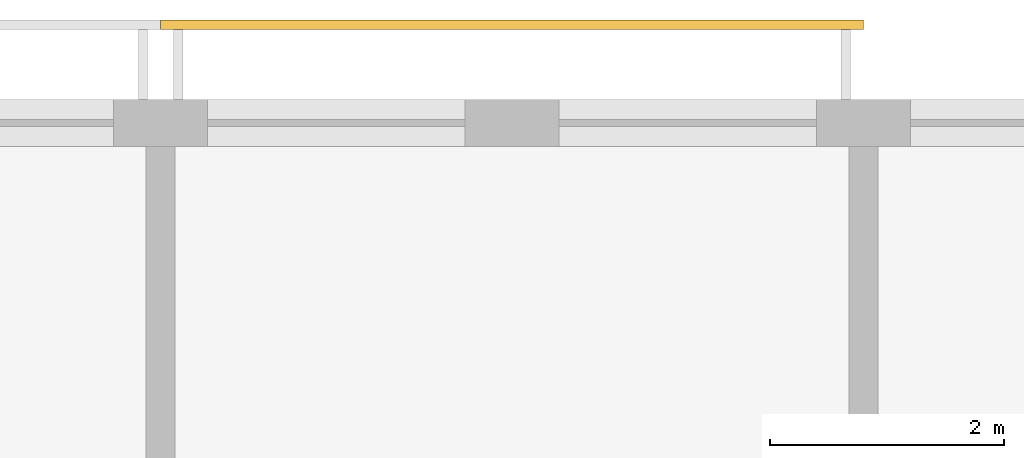
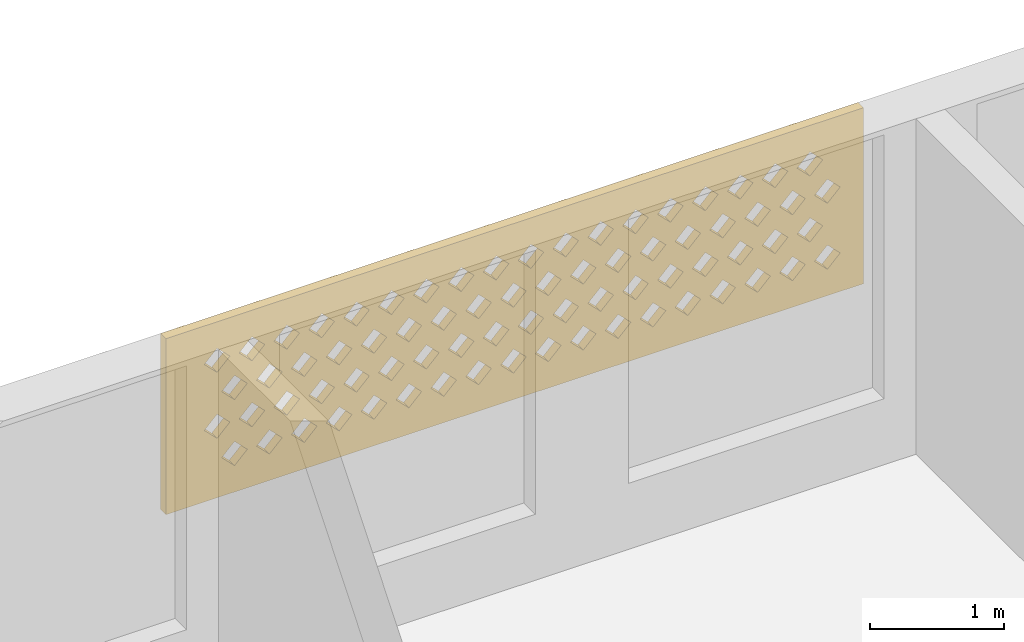
# One storey, part 15 of 18: 1 covering.
"""IFC4 building model written with IfcOpenShell, lengths in metres."""

from ifc_helpers import new_model, si_unit, direction, frame, origin, place, context, subcontext, project, spatial, polyline, outline, extrude, source, transform, mapped, material, material_profile, profile_set, type_object, element, save


model = new_model("IFC4")

# Units and contexts
model_context = context("Model", 3, precision=1e-05, world=origin(), true_north=direction((0.0, 1.0)))
body_context = subcontext(model_context, "Body", "Model", "MODEL_VIEW")
ifc_project = project(units=[si_unit("LENGTHUNIT", "METRE"), si_unit("AREAUNIT", "SQUARE_METRE"), si_unit("VOLUMEUNIT", "CUBIC_METRE"), si_unit("PLANEANGLEUNIT", "RADIAN"), si_unit("MASSUNIT", "GRAM", prefix="KILO")], contexts=[model_context])

# Site, building, storey
site_placement = place(None, origin())
site = spatial("IfcSite", under=ifc_project, at=site_placement, CompositionType="ELEMENT")
building_placement = place(site_placement, origin())
building = spatial("IfcBuilding", under=site, at=building_placement, Name="Poui Terraces", CompositionType="ELEMENT")
storey_placement = place(building_placement, frame((0.0, 0.0, 272.39990234375)))
storey = spatial("IfcBuildingStorey", under=building, at=storey_placement, Name="L75 CROWN", CompositionType="ELEMENT", Elevation=272.39990234375)

# Covering
ifc_material = material(Name="Terracotta screen", Category="masonry")
ifc_material_profile = material_profile(ifc_material, outline(polyline([(-3.0, -0.800048828125), (3.0, -0.800048828125), (3.0, 0.800048828125), (-3.0, 0.800048828125), (-3.0, -0.800048828125)]), holes=[polyline([(-2.800048828125, -0.449951171875), (-2.68994140625, -0.56005859375), (-2.580078125, -0.449951171875), (-2.68994140625, -0.340087890625), (-2.800048828125, -0.449951171875)]), polyline([(-2.5, -0.449951171875), (-2.389892578125, -0.56005859375), (-2.280029296875, -0.449951171875), (-2.389892578125, -0.340087890625), (-2.5, -0.449951171875)]), polyline([(-2.199951171875, -0.449951171875), (-2.090087890625, -0.56005859375), (-1.97998046875, -0.449951171875), (-2.090087890625, -0.340087890625), (-2.199951171875, -0.449951171875)]), polyline([(-1.89990234375, -0.449951171875), (-1.7900390625, -0.56005859375), (-1.679931640625, -0.449951171875), (-1.7900390625, -0.340087890625), (-1.89990234375, -0.449951171875)]), polyline([(-1.60009765625, -0.449951171875), (-1.489990234375, -0.56005859375), (-1.3798828125, -0.449951171875), (-1.489990234375, -0.340087890625), (-1.60009765625, -0.449951171875)]), polyline([(-1.300048828125, -0.449951171875), (-1.18994140625, -0.56005859375), (-1.080078125, -0.449951171875), (-1.18994140625, -0.340087890625), (-1.300048828125, -0.449951171875)]), polyline([(-1.0, -0.449951171875), (-0.889892578125, -0.56005859375), (-0.780029296875, -0.449951171875), (-0.889892578125, -0.340087890625), (-1.0, -0.449951171875)]), polyline([(-0.699951171875, -0.449951171875), (-0.590087890625, -0.56005859375), (-0.47998046875, -0.449951171875), (-0.590087890625, -0.340087890625), (-0.699951171875, -0.449951171875)]), polyline([(-0.39990234375, -0.449951171875), (-0.2900390625, -0.56005859375), (-0.179931640625, -0.449951171875), (-0.2900390625, -0.340087890625), (-0.39990234375, -0.449951171875)]), polyline([(-0.10009765625, -0.449951171875), (0.010009765625, -0.56005859375), (0.1201171875, -0.449951171875), (0.010009765625, -0.340087890625), (-0.10009765625, -0.449951171875)]), polyline([(0.199951171875, -0.449951171875), (0.31005859375, -0.56005859375), (0.419921875, -0.449951171875), (0.31005859375, -0.340087890625), (0.199951171875, -0.449951171875)]), polyline([(0.5, -0.449951171875), (0.610107421875, -0.56005859375), (0.719970703125, -0.449951171875), (0.610107421875, -0.340087890625), (0.5, -0.449951171875)]), polyline([(0.800048828125, -0.449951171875), (0.909912109375, -0.56005859375), (1.02001953125, -0.449951171875), (0.909912109375, -0.340087890625), (0.800048828125, -0.449951171875)]), polyline([(1.10009765625, -0.449951171875), (1.2099609375, -0.56005859375), (1.320068359375, -0.449951171875), (1.2099609375, -0.340087890625), (1.10009765625, -0.449951171875)]), polyline([(1.39990234375, -0.449951171875), (1.510009765625, -0.56005859375), (1.6201171875, -0.449951171875), (1.510009765625, -0.340087890625), (1.39990234375, -0.449951171875)]), polyline([(1.699951171875, -0.449951171875), (1.81005859375, -0.56005859375), (1.919921875, -0.449951171875), (1.81005859375, -0.340087890625), (1.699951171875, -0.449951171875)]), polyline([(2.0, -0.449951171875), (2.110107421875, -0.56005859375), (2.219970703125, -0.449951171875), (2.110107421875, -0.340087890625), (2.0, -0.449951171875)]), polyline([(2.300048828125, -0.449951171875), (2.409912109375, -0.56005859375), (2.52001953125, -0.449951171875), (2.409912109375, -0.340087890625), (2.300048828125, -0.449951171875)]), polyline([(-2.64990234375, -0.14990234375), (-2.5400390625, -0.260009765625), (-2.429931640625, -0.14990234375), (-2.5400390625, -0.0400390625), (-2.64990234375, -0.14990234375)]), polyline([(-2.35009765625, -0.14990234375), (-2.239990234375, -0.260009765625), (-2.1298828125, -0.14990234375), (-2.239990234375, -0.0400390625), (-2.35009765625, -0.14990234375)]), polyline([(-2.050048828125, -0.14990234375), (-1.93994140625, -0.260009765625), (-1.830078125, -0.14990234375), (-1.93994140625, -0.0400390625), (-2.050048828125, -0.14990234375)]), polyline([(-1.75, -0.14990234375), (-1.639892578125, -0.260009765625), (-1.530029296875, -0.14990234375), (-1.639892578125, -0.0400390625), (-1.75, -0.14990234375)]), polyline([(-1.449951171875, -0.14990234375), (-1.340087890625, -0.260009765625), (-1.22998046875, -0.14990234375), (-1.340087890625, -0.0400390625), (-1.449951171875, -0.14990234375)]), polyline([(-1.14990234375, -0.14990234375), (-1.0400390625, -0.260009765625), (-0.929931640625, -0.14990234375), (-1.0400390625, -0.0400390625), (-1.14990234375, -0.14990234375)]), polyline([(-0.85009765625, -0.14990234375), (-0.739990234375, -0.260009765625), (-0.6298828125, -0.14990234375), (-0.739990234375, -0.0400390625), (-0.85009765625, -0.14990234375)]), polyline([(-0.550048828125, -0.14990234375), (-0.43994140625, -0.260009765625), (-0.330078125, -0.14990234375), (-0.43994140625, -0.0400390625), (-0.550048828125, -0.14990234375)]), polyline([(-0.25, -0.14990234375), (-0.139892578125, -0.260009765625), (-0.030029296875, -0.14990234375), (-0.139892578125, -0.0400390625), (-0.25, -0.14990234375)]), polyline([(0.050048828125, -0.14990234375), (0.159912109375, -0.260009765625), (0.27001953125, -0.14990234375), (0.159912109375, -0.0400390625), (0.050048828125, -0.14990234375)]), polyline([(0.35009765625, -0.14990234375), (0.4599609375, -0.260009765625), (0.570068359375, -0.14990234375), (0.4599609375, -0.0400390625), (0.35009765625, -0.14990234375)]), polyline([(0.64990234375, -0.14990234375), (0.760009765625, -0.260009765625), (0.8701171875, -0.14990234375), (0.760009765625, -0.0400390625), (0.64990234375, -0.14990234375)]), polyline([(0.949951171875, -0.14990234375), (1.06005859375, -0.260009765625), (1.169921875, -0.14990234375), (1.06005859375, -0.0400390625), (0.949951171875, -0.14990234375)]), polyline([(1.25, -0.14990234375), (1.360107421875, -0.260009765625), (1.469970703125, -0.14990234375), (1.360107421875, -0.0400390625), (1.25, -0.14990234375)]), polyline([(1.550048828125, -0.14990234375), (1.659912109375, -0.260009765625), (1.77001953125, -0.14990234375), (1.659912109375, -0.0400390625), (1.550048828125, -0.14990234375)]), polyline([(1.85009765625, -0.14990234375), (1.9599609375, -0.260009765625), (2.070068359375, -0.14990234375), (1.9599609375, -0.0400390625), (1.85009765625, -0.14990234375)]), polyline([(2.14990234375, -0.14990234375), (2.260009765625, -0.260009765625), (2.3701171875, -0.14990234375), (2.260009765625, -0.0400390625), (2.14990234375, -0.14990234375)]), polyline([(2.449951171875, -0.14990234375), (2.56005859375, -0.260009765625), (2.669921875, -0.14990234375), (2.56005859375, -0.0400390625), (2.449951171875, -0.14990234375)]), polyline([(-2.800048828125, 0.14990234375), (-2.68994140625, 0.0400390625), (-2.580078125, 0.14990234375), (-2.68994140625, 0.260009765625), (-2.800048828125, 0.14990234375)]), polyline([(-2.5, 0.14990234375), (-2.389892578125, 0.0400390625), (-2.280029296875, 0.14990234375), (-2.389892578125, 0.260009765625), (-2.5, 0.14990234375)]), polyline([(-2.199951171875, 0.14990234375), (-2.090087890625, 0.0400390625), (-1.97998046875, 0.14990234375), (-2.090087890625, 0.260009765625), (-2.199951171875, 0.14990234375)]), polyline([(-1.89990234375, 0.14990234375), (-1.7900390625, 0.0400390625), (-1.679931640625, 0.14990234375), (-1.7900390625, 0.260009765625), (-1.89990234375, 0.14990234375)]), polyline([(-1.60009765625, 0.14990234375), (-1.489990234375, 0.0400390625), (-1.3798828125, 0.14990234375), (-1.489990234375, 0.260009765625), (-1.60009765625, 0.14990234375)]), polyline([(-1.300048828125, 0.14990234375), (-1.18994140625, 0.0400390625), (-1.080078125, 0.14990234375), (-1.18994140625, 0.260009765625), (-1.300048828125, 0.14990234375)]), polyline([(-1.0, 0.14990234375), (-0.889892578125, 0.0400390625), (-0.780029296875, 0.14990234375), (-0.889892578125, 0.260009765625), (-1.0, 0.14990234375)]), polyline([(-0.699951171875, 0.14990234375), (-0.590087890625, 0.0400390625), (-0.47998046875, 0.14990234375), (-0.590087890625, 0.260009765625), (-0.699951171875, 0.14990234375)]), polyline([(-0.39990234375, 0.14990234375), (-0.2900390625, 0.0400390625), (-0.179931640625, 0.14990234375), (-0.2900390625, 0.260009765625), (-0.39990234375, 0.14990234375)]), polyline([(-0.10009765625, 0.14990234375), (0.010009765625, 0.0400390625), (0.1201171875, 0.14990234375), (0.010009765625, 0.260009765625), (-0.10009765625, 0.14990234375)]), polyline([(0.199951171875, 0.14990234375), (0.31005859375, 0.0400390625), (0.419921875, 0.14990234375), (0.31005859375, 0.260009765625), (0.199951171875, 0.14990234375)]), polyline([(0.5, 0.14990234375), (0.610107421875, 0.0400390625), (0.719970703125, 0.14990234375), (0.610107421875, 0.260009765625), (0.5, 0.14990234375)]), polyline([(0.800048828125, 0.14990234375), (0.909912109375, 0.0400390625), (1.02001953125, 0.14990234375), (0.909912109375, 0.260009765625), (0.800048828125, 0.14990234375)]), polyline([(1.10009765625, 0.14990234375), (1.2099609375, 0.0400390625), (1.320068359375, 0.14990234375), (1.2099609375, 0.260009765625), (1.10009765625, 0.14990234375)]), polyline([(1.39990234375, 0.14990234375), (1.510009765625, 0.0400390625), (1.6201171875, 0.14990234375), (1.510009765625, 0.260009765625), (1.39990234375, 0.14990234375)]), polyline([(1.699951171875, 0.14990234375), (1.81005859375, 0.0400390625), (1.919921875, 0.14990234375), (1.81005859375, 0.260009765625), (1.699951171875, 0.14990234375)]), polyline([(2.0, 0.14990234375), (2.110107421875, 0.0400390625), (2.219970703125, 0.14990234375), (2.110107421875, 0.260009765625), (2.0, 0.14990234375)]), polyline([(2.300048828125, 0.14990234375), (2.409912109375, 0.0400390625), (2.52001953125, 0.14990234375), (2.409912109375, 0.260009765625), (2.300048828125, 0.14990234375)]), polyline([(-2.64990234375, 0.449951171875), (-2.5400390625, 0.340087890625), (-2.429931640625, 0.449951171875), (-2.5400390625, 0.56005859375), (-2.64990234375, 0.449951171875)]), polyline([(-2.35009765625, 0.449951171875), (-2.239990234375, 0.340087890625), (-2.1298828125, 0.449951171875), (-2.239990234375, 0.56005859375), (-2.35009765625, 0.449951171875)]), polyline([(-2.050048828125, 0.449951171875), (-1.93994140625, 0.340087890625), (-1.830078125, 0.449951171875), (-1.93994140625, 0.56005859375), (-2.050048828125, 0.449951171875)]), polyline([(-1.75, 0.449951171875), (-1.639892578125, 0.340087890625), (-1.530029296875, 0.449951171875), (-1.639892578125, 0.56005859375), (-1.75, 0.449951171875)]), polyline([(-1.449951171875, 0.449951171875), (-1.340087890625, 0.340087890625), (-1.22998046875, 0.449951171875), (-1.340087890625, 0.56005859375), (-1.449951171875, 0.449951171875)]), polyline([(-1.14990234375, 0.449951171875), (-1.0400390625, 0.340087890625), (-0.929931640625, 0.449951171875), (-1.0400390625, 0.56005859375), (-1.14990234375, 0.449951171875)]), polyline([(-0.85009765625, 0.449951171875), (-0.739990234375, 0.340087890625), (-0.6298828125, 0.449951171875), (-0.739990234375, 0.56005859375), (-0.85009765625, 0.449951171875)]), polyline([(-0.550048828125, 0.449951171875), (-0.43994140625, 0.340087890625), (-0.330078125, 0.449951171875), (-0.43994140625, 0.56005859375), (-0.550048828125, 0.449951171875)]), polyline([(-0.25, 0.449951171875), (-0.139892578125, 0.340087890625), (-0.030029296875, 0.449951171875), (-0.139892578125, 0.56005859375), (-0.25, 0.449951171875)]), polyline([(0.050048828125, 0.449951171875), (0.159912109375, 0.340087890625), (0.27001953125, 0.449951171875), (0.159912109375, 0.56005859375), (0.050048828125, 0.449951171875)]), polyline([(0.35009765625, 0.449951171875), (0.4599609375, 0.340087890625), (0.570068359375, 0.449951171875), (0.4599609375, 0.56005859375), (0.35009765625, 0.449951171875)]), polyline([(0.64990234375, 0.449951171875), (0.760009765625, 0.340087890625), (0.8701171875, 0.449951171875), (0.760009765625, 0.56005859375), (0.64990234375, 0.449951171875)]), polyline([(0.949951171875, 0.449951171875), (1.06005859375, 0.340087890625), (1.169921875, 0.449951171875), (1.06005859375, 0.56005859375), (0.949951171875, 0.449951171875)]), polyline([(1.25, 0.449951171875), (1.360107421875, 0.340087890625), (1.469970703125, 0.449951171875), (1.360107421875, 0.56005859375), (1.25, 0.449951171875)]), polyline([(1.550048828125, 0.449951171875), (1.659912109375, 0.340087890625), (1.77001953125, 0.449951171875), (1.659912109375, 0.56005859375), (1.550048828125, 0.449951171875)]), polyline([(1.85009765625, 0.449951171875), (1.9599609375, 0.340087890625), (2.070068359375, 0.449951171875), (1.9599609375, 0.56005859375), (1.85009765625, 0.449951171875)]), polyline([(2.14990234375, 0.449951171875), (2.260009765625, 0.340087890625), (2.3701171875, 0.449951171875), (2.260009765625, 0.56005859375), (2.14990234375, 0.449951171875)]), polyline([(2.449951171875, 0.449951171875), (2.56005859375, 0.340087890625), (2.669921875, 0.449951171875), (2.56005859375, 0.56005859375), (2.449951171875, 0.449951171875)])]), Name="TERRACOTTA SOLAR SCREEN 6000X1600")
ifc_profile_set = profile_set([ifc_material_profile], Name="Terracotta screen")
covering_type = type_object("IfcCoveringType", Name="TERRACOTTA SOLAR SCREEN 6000X1600", PredefinedType="CLADDING", material=ifc_profile_set)
shared_shape = source(origin(), body_context, "Body", "SweptSolid", [
    extrude(outline(polyline([(-3.0, -0.800048828125), (3.0, -0.800048828125), (3.0, 0.800048828125), (-3.0, 0.800048828125), (-3.0, -0.800048828125)]), holes=[polyline([(-2.800048828125, -0.449951171875), (-2.68994140625, -0.56005859375), (-2.580078125, -0.449951171875), (-2.68994140625, -0.340087890625), (-2.800048828125, -0.449951171875)]), polyline([(-2.5, -0.449951171875), (-2.389892578125, -0.56005859375), (-2.280029296875, -0.449951171875), (-2.389892578125, -0.340087890625), (-2.5, -0.449951171875)]), polyline([(-2.199951171875, -0.449951171875), (-2.090087890625, -0.56005859375), (-1.97998046875, -0.449951171875), (-2.090087890625, -0.340087890625), (-2.199951171875, -0.449951171875)]), polyline([(-1.89990234375, -0.449951171875), (-1.7900390625, -0.56005859375), (-1.679931640625, -0.449951171875), (-1.7900390625, -0.340087890625), (-1.89990234375, -0.449951171875)]), polyline([(-1.60009765625, -0.449951171875), (-1.489990234375, -0.56005859375), (-1.3798828125, -0.449951171875), (-1.489990234375, -0.340087890625), (-1.60009765625, -0.449951171875)]), polyline([(-1.300048828125, -0.449951171875), (-1.18994140625, -0.56005859375), (-1.080078125, -0.449951171875), (-1.18994140625, -0.340087890625), (-1.300048828125, -0.449951171875)]), polyline([(-1.0, -0.449951171875), (-0.889892578125, -0.56005859375), (-0.780029296875, -0.449951171875), (-0.889892578125, -0.340087890625), (-1.0, -0.449951171875)]), polyline([(-0.699951171875, -0.449951171875), (-0.590087890625, -0.56005859375), (-0.47998046875, -0.449951171875), (-0.590087890625, -0.340087890625), (-0.699951171875, -0.449951171875)]), polyline([(-0.39990234375, -0.449951171875), (-0.2900390625, -0.56005859375), (-0.179931640625, -0.449951171875), (-0.2900390625, -0.340087890625), (-0.39990234375, -0.449951171875)]), polyline([(-0.10009765625, -0.449951171875), (0.010009765625, -0.56005859375), (0.1201171875, -0.449951171875), (0.010009765625, -0.340087890625), (-0.10009765625, -0.449951171875)]), polyline([(0.199951171875, -0.449951171875), (0.31005859375, -0.56005859375), (0.419921875, -0.449951171875), (0.31005859375, -0.340087890625), (0.199951171875, -0.449951171875)]), polyline([(0.5, -0.449951171875), (0.610107421875, -0.56005859375), (0.719970703125, -0.449951171875), (0.610107421875, -0.340087890625), (0.5, -0.449951171875)]), polyline([(0.800048828125, -0.449951171875), (0.909912109375, -0.56005859375), (1.02001953125, -0.449951171875), (0.909912109375, -0.340087890625), (0.800048828125, -0.449951171875)]), polyline([(1.10009765625, -0.449951171875), (1.2099609375, -0.56005859375), (1.320068359375, -0.449951171875), (1.2099609375, -0.340087890625), (1.10009765625, -0.449951171875)]), polyline([(1.39990234375, -0.449951171875), (1.510009765625, -0.56005859375), (1.6201171875, -0.449951171875), (1.510009765625, -0.340087890625), (1.39990234375, -0.449951171875)]), polyline([(1.699951171875, -0.449951171875), (1.81005859375, -0.56005859375), (1.919921875, -0.449951171875), (1.81005859375, -0.340087890625), (1.699951171875, -0.449951171875)]), polyline([(2.0, -0.449951171875), (2.110107421875, -0.56005859375), (2.219970703125, -0.449951171875), (2.110107421875, -0.340087890625), (2.0, -0.449951171875)]), polyline([(2.300048828125, -0.449951171875), (2.409912109375, -0.56005859375), (2.52001953125, -0.449951171875), (2.409912109375, -0.340087890625), (2.300048828125, -0.449951171875)]), polyline([(-2.64990234375, -0.14990234375), (-2.5400390625, -0.260009765625), (-2.429931640625, -0.14990234375), (-2.5400390625, -0.0400390625), (-2.64990234375, -0.14990234375)]), polyline([(-2.35009765625, -0.14990234375), (-2.239990234375, -0.260009765625), (-2.1298828125, -0.14990234375), (-2.239990234375, -0.0400390625), (-2.35009765625, -0.14990234375)]), polyline([(-2.050048828125, -0.14990234375), (-1.93994140625, -0.260009765625), (-1.830078125, -0.14990234375), (-1.93994140625, -0.0400390625), (-2.050048828125, -0.14990234375)]), polyline([(-1.75, -0.14990234375), (-1.639892578125, -0.260009765625), (-1.530029296875, -0.14990234375), (-1.639892578125, -0.0400390625), (-1.75, -0.14990234375)]), polyline([(-1.449951171875, -0.14990234375), (-1.340087890625, -0.260009765625), (-1.22998046875, -0.14990234375), (-1.340087890625, -0.0400390625), (-1.449951171875, -0.14990234375)]), polyline([(-1.14990234375, -0.14990234375), (-1.0400390625, -0.260009765625), (-0.929931640625, -0.14990234375), (-1.0400390625, -0.0400390625), (-1.14990234375, -0.14990234375)]), polyline([(-0.85009765625, -0.14990234375), (-0.739990234375, -0.260009765625), (-0.6298828125, -0.14990234375), (-0.739990234375, -0.0400390625), (-0.85009765625, -0.14990234375)]), polyline([(-0.550048828125, -0.14990234375), (-0.43994140625, -0.260009765625), (-0.330078125, -0.14990234375), (-0.43994140625, -0.0400390625), (-0.550048828125, -0.14990234375)]), polyline([(-0.25, -0.14990234375), (-0.139892578125, -0.260009765625), (-0.030029296875, -0.14990234375), (-0.139892578125, -0.0400390625), (-0.25, -0.14990234375)]), polyline([(0.050048828125, -0.14990234375), (0.159912109375, -0.260009765625), (0.27001953125, -0.14990234375), (0.159912109375, -0.0400390625), (0.050048828125, -0.14990234375)]), polyline([(0.35009765625, -0.14990234375), (0.4599609375, -0.260009765625), (0.570068359375, -0.14990234375), (0.4599609375, -0.0400390625), (0.35009765625, -0.14990234375)]), polyline([(0.64990234375, -0.14990234375), (0.760009765625, -0.260009765625), (0.8701171875, -0.14990234375), (0.760009765625, -0.0400390625), (0.64990234375, -0.14990234375)]), polyline([(0.949951171875, -0.14990234375), (1.06005859375, -0.260009765625), (1.169921875, -0.14990234375), (1.06005859375, -0.0400390625), (0.949951171875, -0.14990234375)]), polyline([(1.25, -0.14990234375), (1.360107421875, -0.260009765625), (1.469970703125, -0.14990234375), (1.360107421875, -0.0400390625), (1.25, -0.14990234375)]), polyline([(1.550048828125, -0.14990234375), (1.659912109375, -0.260009765625), (1.77001953125, -0.14990234375), (1.659912109375, -0.0400390625), (1.550048828125, -0.14990234375)]), polyline([(1.85009765625, -0.14990234375), (1.9599609375, -0.260009765625), (2.070068359375, -0.14990234375), (1.9599609375, -0.0400390625), (1.85009765625, -0.14990234375)]), polyline([(2.14990234375, -0.14990234375), (2.260009765625, -0.260009765625), (2.3701171875, -0.14990234375), (2.260009765625, -0.0400390625), (2.14990234375, -0.14990234375)]), polyline([(2.449951171875, -0.14990234375), (2.56005859375, -0.260009765625), (2.669921875, -0.14990234375), (2.56005859375, -0.0400390625), (2.449951171875, -0.14990234375)]), polyline([(-2.800048828125, 0.14990234375), (-2.68994140625, 0.0400390625), (-2.580078125, 0.14990234375), (-2.68994140625, 0.260009765625), (-2.800048828125, 0.14990234375)]), polyline([(-2.5, 0.14990234375), (-2.389892578125, 0.0400390625), (-2.280029296875, 0.14990234375), (-2.389892578125, 0.260009765625), (-2.5, 0.14990234375)]), polyline([(-2.199951171875, 0.14990234375), (-2.090087890625, 0.0400390625), (-1.97998046875, 0.14990234375), (-2.090087890625, 0.260009765625), (-2.199951171875, 0.14990234375)]), polyline([(-1.89990234375, 0.14990234375), (-1.7900390625, 0.0400390625), (-1.679931640625, 0.14990234375), (-1.7900390625, 0.260009765625), (-1.89990234375, 0.14990234375)]), polyline([(-1.60009765625, 0.14990234375), (-1.489990234375, 0.0400390625), (-1.3798828125, 0.14990234375), (-1.489990234375, 0.260009765625), (-1.60009765625, 0.14990234375)]), polyline([(-1.300048828125, 0.14990234375), (-1.18994140625, 0.0400390625), (-1.080078125, 0.14990234375), (-1.18994140625, 0.260009765625), (-1.300048828125, 0.14990234375)]), polyline([(-1.0, 0.14990234375), (-0.889892578125, 0.0400390625), (-0.780029296875, 0.14990234375), (-0.889892578125, 0.260009765625), (-1.0, 0.14990234375)]), polyline([(-0.699951171875, 0.14990234375), (-0.590087890625, 0.0400390625), (-0.47998046875, 0.14990234375), (-0.590087890625, 0.260009765625), (-0.699951171875, 0.14990234375)]), polyline([(-0.39990234375, 0.14990234375), (-0.2900390625, 0.0400390625), (-0.179931640625, 0.14990234375), (-0.2900390625, 0.260009765625), (-0.39990234375, 0.14990234375)]), polyline([(-0.10009765625, 0.14990234375), (0.010009765625, 0.0400390625), (0.1201171875, 0.14990234375), (0.010009765625, 0.260009765625), (-0.10009765625, 0.14990234375)]), polyline([(0.199951171875, 0.14990234375), (0.31005859375, 0.0400390625), (0.419921875, 0.14990234375), (0.31005859375, 0.260009765625), (0.199951171875, 0.14990234375)]), polyline([(0.5, 0.14990234375), (0.610107421875, 0.0400390625), (0.719970703125, 0.14990234375), (0.610107421875, 0.260009765625), (0.5, 0.14990234375)]), polyline([(0.800048828125, 0.14990234375), (0.909912109375, 0.0400390625), (1.02001953125, 0.14990234375), (0.909912109375, 0.260009765625), (0.800048828125, 0.14990234375)]), polyline([(1.10009765625, 0.14990234375), (1.2099609375, 0.0400390625), (1.320068359375, 0.14990234375), (1.2099609375, 0.260009765625), (1.10009765625, 0.14990234375)]), polyline([(1.39990234375, 0.14990234375), (1.510009765625, 0.0400390625), (1.6201171875, 0.14990234375), (1.510009765625, 0.260009765625), (1.39990234375, 0.14990234375)]), polyline([(1.699951171875, 0.14990234375), (1.81005859375, 0.0400390625), (1.919921875, 0.14990234375), (1.81005859375, 0.260009765625), (1.699951171875, 0.14990234375)]), polyline([(2.0, 0.14990234375), (2.110107421875, 0.0400390625), (2.219970703125, 0.14990234375), (2.110107421875, 0.260009765625), (2.0, 0.14990234375)]), polyline([(2.300048828125, 0.14990234375), (2.409912109375, 0.0400390625), (2.52001953125, 0.14990234375), (2.409912109375, 0.260009765625), (2.300048828125, 0.14990234375)]), polyline([(-2.64990234375, 0.449951171875), (-2.5400390625, 0.340087890625), (-2.429931640625, 0.449951171875), (-2.5400390625, 0.56005859375), (-2.64990234375, 0.449951171875)]), polyline([(-2.35009765625, 0.449951171875), (-2.239990234375, 0.340087890625), (-2.1298828125, 0.449951171875), (-2.239990234375, 0.56005859375), (-2.35009765625, 0.449951171875)]), polyline([(-2.050048828125, 0.449951171875), (-1.93994140625, 0.340087890625), (-1.830078125, 0.449951171875), (-1.93994140625, 0.56005859375), (-2.050048828125, 0.449951171875)]), polyline([(-1.75, 0.449951171875), (-1.639892578125, 0.340087890625), (-1.530029296875, 0.449951171875), (-1.639892578125, 0.56005859375), (-1.75, 0.449951171875)]), polyline([(-1.449951171875, 0.449951171875), (-1.340087890625, 0.340087890625), (-1.22998046875, 0.449951171875), (-1.340087890625, 0.56005859375), (-1.449951171875, 0.449951171875)]), polyline([(-1.14990234375, 0.449951171875), (-1.0400390625, 0.340087890625), (-0.929931640625, 0.449951171875), (-1.0400390625, 0.56005859375), (-1.14990234375, 0.449951171875)]), polyline([(-0.85009765625, 0.449951171875), (-0.739990234375, 0.340087890625), (-0.6298828125, 0.449951171875), (-0.739990234375, 0.56005859375), (-0.85009765625, 0.449951171875)]), polyline([(-0.550048828125, 0.449951171875), (-0.43994140625, 0.340087890625), (-0.330078125, 0.449951171875), (-0.43994140625, 0.56005859375), (-0.550048828125, 0.449951171875)]), polyline([(-0.25, 0.449951171875), (-0.139892578125, 0.340087890625), (-0.030029296875, 0.449951171875), (-0.139892578125, 0.56005859375), (-0.25, 0.449951171875)]), polyline([(0.050048828125, 0.449951171875), (0.159912109375, 0.340087890625), (0.27001953125, 0.449951171875), (0.159912109375, 0.56005859375), (0.050048828125, 0.449951171875)]), polyline([(0.35009765625, 0.449951171875), (0.4599609375, 0.340087890625), (0.570068359375, 0.449951171875), (0.4599609375, 0.56005859375), (0.35009765625, 0.449951171875)]), polyline([(0.64990234375, 0.449951171875), (0.760009765625, 0.340087890625), (0.8701171875, 0.449951171875), (0.760009765625, 0.56005859375), (0.64990234375, 0.449951171875)]), polyline([(0.949951171875, 0.449951171875), (1.06005859375, 0.340087890625), (1.169921875, 0.449951171875), (1.06005859375, 0.56005859375), (0.949951171875, 0.449951171875)]), polyline([(1.25, 0.449951171875), (1.360107421875, 0.340087890625), (1.469970703125, 0.449951171875), (1.360107421875, 0.56005859375), (1.25, 0.449951171875)]), polyline([(1.550048828125, 0.449951171875), (1.659912109375, 0.340087890625), (1.77001953125, 0.449951171875), (1.659912109375, 0.56005859375), (1.550048828125, 0.449951171875)]), polyline([(1.85009765625, 0.449951171875), (1.9599609375, 0.340087890625), (2.070068359375, 0.449951171875), (1.9599609375, 0.56005859375), (1.85009765625, 0.449951171875)]), polyline([(2.14990234375, 0.449951171875), (2.260009765625, 0.340087890625), (2.3701171875, 0.449951171875), (2.260009765625, 0.56005859375), (2.14990234375, 0.449951171875)]), polyline([(2.449951171875, 0.449951171875), (2.56005859375, 0.340087890625), (2.669921875, 0.449951171875), (2.56005859375, 0.56005859375), (2.449951171875, 0.449951171875)])]), origin(), (0.0, 0.0, 1.0), 0.080078125),
])
covering_placement = place(storey_placement, frame((39.0, 42.0, 1.7001953125), z_axis=(0.0, 1.0, 0.0), x_axis=(-1.0, 0.0, 0.0)))
element("IfcCovering", 1, at=covering_placement, inside=storey, type_object=covering_type, Name="SOLAR SCREEN", PredefinedType="CLADDING", context=body_context, shape_type="MappedRepresentation", body=[
    mapped(shared_shape, transform((0.0, 0.0, 0.0))),
])

save(model, "model.ifc")
